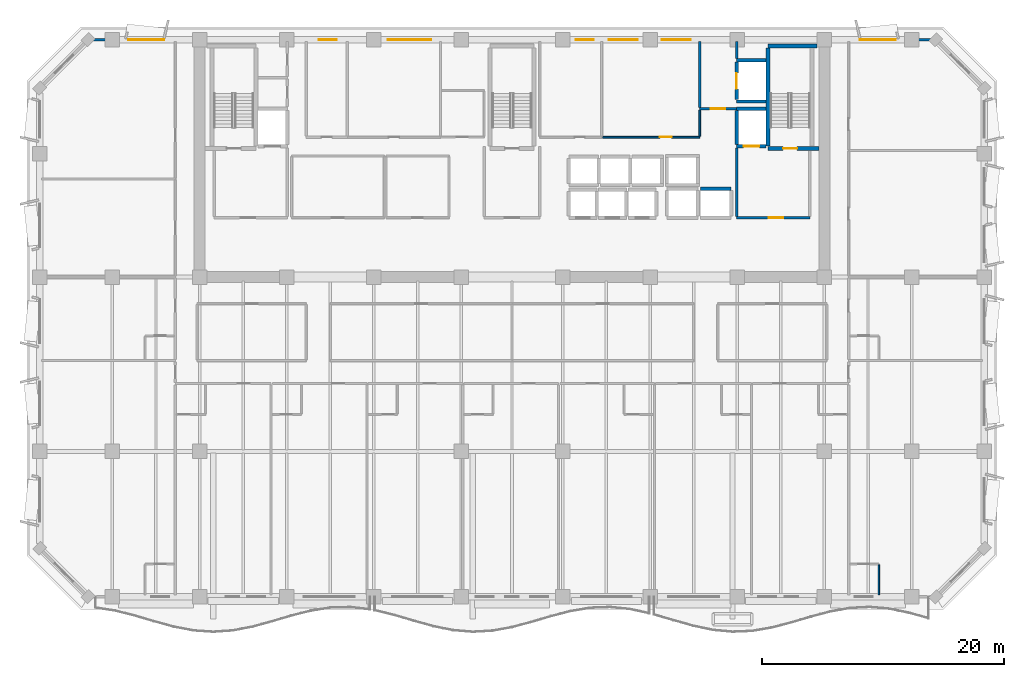
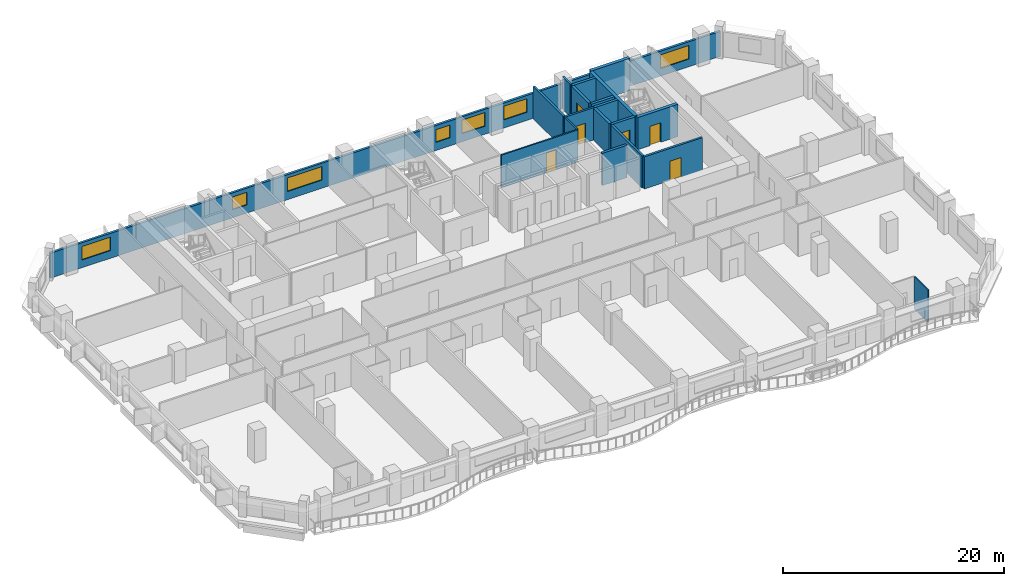
# One storey, part 8 of 15: 19 walls, 7 windows, 6 doors, 13 openings.
"""IFC4 building model written with IfcOpenShell, lengths in metres."""

from ifc_helpers import new_model, si_unit, direction, frame, frame_2d, origin, place, context, subcontext, project, spatial, rectangle, extrude, material, layer, layer_set, type_object, element, fill, save


model = new_model("IFC4")

# Units and contexts
model_context = context("Model", 3, precision=1e-05, world=origin(), true_north=direction((0.0, 1.0)))
body_context = subcontext(model_context, "Body", "Model", "MODEL_VIEW")
ifc_project = project(units=[si_unit("LENGTHUNIT", "METRE"), si_unit("AREAUNIT", "SQUARE_METRE"), si_unit("VOLUMEUNIT", "CUBIC_METRE"), si_unit("PLANEANGLEUNIT", "RADIAN"), si_unit("MASSUNIT", "GRAM", prefix="KILO")], contexts=[model_context])

# Site, building, storey
site_placement = place(None, origin())
site = spatial("IfcSite", under=ifc_project, at=site_placement, CompositionType="ELEMENT")
building_placement = place(site_placement, origin())
building = spatial("IfcBuilding", under=site, at=building_placement, Name="Kaelvorn Grand Hotel", CompositionType="ELEMENT")
storey_placement = place(building_placement, frame((0.0, 0.0, 173.35009765625)))
storey = spatial("IfcBuildingStorey", under=building, at=storey_placement, Name="L42", CompositionType="ELEMENT", Elevation=173.35009765625)

# Wall, openings, windows
ifc_material_1 = material(Name="Concrete C40/50", Category="concrete")
ifc_layer_1 = layer(ifc_material_1, 0.239990234375)
ifc_layer_set_1 = layer_set([ifc_layer_1], Name="Concrete C40/50")
wall_type_1 = type_object("IfcWallType", Name="WL-EXT-240-C40", PredefinedType="SOLIDWALL", material=ifc_layer_set_1)
wall_1_placement = place(storey_placement, frame((77.0, 49.0, 0.0), z_axis=(0.0, 0.0, 1.0), x_axis=(-1.0, 0.0, 0.0)))
wall_1 = element("IfcWall", 1, at=wall_1_placement, inside=storey, type_object=wall_type_1, Name="L42 Exterior Architectural Concrete Wall 05", PredefinedType="SOLIDWALL", context=body_context, shape_type="SweptSolid", body=[
    extrude(rectangle(XDim=70.0, YDim=0.239990234375, at=frame_2d((35.0, 0.0))), origin(), (0.0, 0.0, 1.0), 2.760009765625),
])
opening_1_placement = place(wall_1_placement, frame((63.699951171875, 0.0, 0.85009765625)))
opening_1 = element("IfcOpeningElement", 2, at=opening_1_placement, cuts=wall_1, Name="Opening W5", PredefinedType="OPENING", context=body_context, shape_type="SweptSolid", body=[
    extrude(rectangle(XDim=3.0, YDim=1.5, at=frame_2d((1.5, 0.75))), frame((0.0, 0.1298828125, 0.0), z_axis=(0.0, -1.0, 0.0), x_axis=(1.0, 0.0, 0.0)), (0.0, 0.0, 1.0), 0.260009765625),
])
opening_2_placement = place(wall_1_placement, frame((3.300048828125, 0.0, 0.85009765625)))
opening_2 = element("IfcOpeningElement", 3, at=opening_2_placement, cuts=wall_1, Name="Opening W5", PredefinedType="OPENING", context=body_context, shape_type="SweptSolid", body=[
    extrude(rectangle(XDim=3.0, YDim=1.5, at=frame_2d((1.5, 0.75))), frame((0.0, 0.1298828125, 0.0), z_axis=(0.0, -1.0, 0.0), x_axis=(1.0, 0.0, 0.0)), (0.0, 0.0, 1.0), 0.260009765625),
])
opening_3_placement = place(wall_1_placement, frame((49.465087890625, 0.0, 0.89990234375)))
opening_3 = element("IfcOpeningElement", 4, at=opening_3_placement, cuts=wall_1, Name="Opening W10", PredefinedType="OPENING", context=body_context, shape_type="SweptSolid", body=[
    extrude(rectangle(XDim=1.5, YDim=1.39990234375, at=frame_2d((0.75, 0.699951171875))), frame((0.0, 0.1298828125, 0.0), z_axis=(0.0, -1.0, 0.0), x_axis=(1.0, 0.0, 0.0)), (0.0, 0.0, 1.0), 0.260009765625),
])
opening_4_placement = place(wall_1_placement, frame((41.64990234375, 0.0, 0.89990234375)))
opening_4 = element("IfcOpeningElement", 5, at=opening_4_placement, cuts=wall_1, Name="Opening W3", PredefinedType="OPENING", context=body_context, shape_type="SweptSolid", body=[
    extrude(rectangle(XDim=3.60009765625, YDim=1.5, at=frame_2d((1.800048828125, 0.75))), frame((0.0, 0.1298828125, 0.0), z_axis=(0.0, -1.0, 0.0), x_axis=(1.0, 0.0, 0.0)), (0.0, 0.0, 1.0), 0.260009765625),
])
opening_5_placement = place(wall_1_placement, frame((28.25, 0.0, 0.89990234375)))
opening_5 = element("IfcOpeningElement", 6, at=opening_5_placement, cuts=wall_1, Name="Opening W10", PredefinedType="OPENING", context=body_context, shape_type="SweptSolid", body=[
    extrude(rectangle(XDim=1.5, YDim=1.39990234375, at=frame_2d((0.75, 0.699951171875))), frame((0.0, 0.1298828125, 0.0), z_axis=(0.0, -1.0, 0.0), x_axis=(1.0, 0.0, 0.0)), (0.0, 0.0, 1.0), 0.260009765625),
])
opening_6_placement = place(wall_1_placement, frame((24.60009765625, 0.0, 0.89990234375)))
opening_6 = element("IfcOpeningElement", 7, at=opening_6_placement, cuts=wall_1, Name="Opening W6", PredefinedType="OPENING", context=body_context, shape_type="SweptSolid", body=[
    extrude(rectangle(XDim=2.39990234375, YDim=1.5, at=frame_2d((1.199951171875, 0.75))), frame((0.0, 0.1298828125, 0.0), z_axis=(0.0, -1.0, 0.0), x_axis=(1.0, 0.0, 0.0)), (0.0, 0.0, 1.0), 0.260009765625),
])
opening_7_placement = place(wall_1_placement, frame((20.235107421875, 0.0, 0.89990234375)))
opening_7 = element("IfcOpeningElement", 8, at=opening_7_placement, cuts=wall_1, Name="Opening W6", PredefinedType="OPENING", context=body_context, shape_type="SweptSolid", body=[
    extrude(rectangle(XDim=2.39990234375, YDim=1.5, at=frame_2d((1.199951171875, 0.75))), frame((0.0, 0.1298828125, 0.0), z_axis=(0.0, -1.0, 0.0), x_axis=(1.0, 0.0, 0.0)), (0.0, 0.0, 1.0), 0.260009765625),
])
ifc_material_2 = material(Name="Laminated Low-E Glass", Category="glass")
window_type_1 = type_object("IfcWindowType", Name="WIN-COR-1500x1400", PartitioningType="SINGLE_PANEL", PredefinedType="WINDOW", material=ifc_material_2)
window_1_placement = place(opening_3_placement, origin())
window_1 = element("IfcWindow", 9, at=window_1_placement, inside=storey, type_object=window_type_1, Name="L42 North Core Clerestory Ribbon Window NC03", OverallHeight=1.39990234375, OverallWidth=1.5, PartitioningType="SINGLE_PANEL", PredefinedType="WINDOW", context=body_context, shape_type="SweptSolid", body=[
    extrude(rectangle(XDim=1.5, YDim=1.39990234375, at=frame_2d((0.75, 0.699951171875))), frame((0.0, 0.030029296875, 0.0), z_axis=(0.0, -1.0, 0.0), x_axis=(1.0, 0.0, 0.0)), (0.0, 0.0, 1.0), 0.06005859375),
])
fill(opening_3, window_1)
window_2_placement = place(opening_5_placement, origin())
window_2 = element("IfcWindow", 10, at=window_2_placement, inside=storey, type_object=window_type_1, Name="L42 North Core Clerestory Ribbon Window NC05", OverallHeight=1.39990234375, OverallWidth=1.5, PartitioningType="SINGLE_PANEL", PredefinedType="WINDOW", context=body_context, shape_type="SweptSolid", body=[
    extrude(rectangle(XDim=1.5, YDim=1.39990234375, at=frame_2d((0.75, 0.699951171875))), frame((0.0, 0.030029296875, 0.0), z_axis=(0.0, -1.0, 0.0), x_axis=(1.0, 0.0, 0.0)), (0.0, 0.0, 1.0), 0.06005859375),
])
fill(opening_5, window_2)
window_type_2 = type_object("IfcWindowType", Name="WIN-NTH-2400x1500", PartitioningType="SINGLE_PANEL", PredefinedType="WINDOW", material=ifc_material_2)
window_3_placement = place(opening_6_placement, origin())
window_3 = element("IfcWindow", 11, at=window_3_placement, inside=storey, type_object=window_type_2, Name="L42 North Core Clerestory Ribbon Window NC06", OverallHeight=1.5, OverallWidth=2.39990234375, PartitioningType="SINGLE_PANEL", PredefinedType="WINDOW", context=body_context, shape_type="SweptSolid", body=[
    extrude(rectangle(XDim=2.39990234375, YDim=1.5, at=frame_2d((1.199951171875, 0.75))), frame((0.0, 0.030029296875, 0.0), z_axis=(0.0, -1.0, 0.0), x_axis=(1.0, 0.0, 0.0)), (0.0, 0.0, 1.0), 0.06005859375),
])
fill(opening_6, window_3)
window_4_placement = place(opening_7_placement, origin())
window_4 = element("IfcWindow", 12, at=window_4_placement, inside=storey, type_object=window_type_2, Name="L42 North Core Clerestory Ribbon Window NC07", OverallHeight=1.5, OverallWidth=2.39990234375, PartitioningType="SINGLE_PANEL", PredefinedType="WINDOW", context=body_context, shape_type="SweptSolid", body=[
    extrude(rectangle(XDim=2.39990234375, YDim=1.5, at=frame_2d((1.199951171875, 0.75))), frame((0.0, 0.030029296875, 0.0), z_axis=(0.0, -1.0, 0.0), x_axis=(1.0, 0.0, 0.0)), (0.0, 0.0, 1.0), 0.06005859375),
])
fill(opening_7, window_4)
window_type_3 = type_object("IfcWindowType", Name="WIN-NTH-3000x1500", PartitioningType="SINGLE_PANEL", PredefinedType="WINDOW", material=ifc_material_2)
window_5_placement = place(opening_1_placement, origin())
window_5 = element("IfcWindow", 13, at=window_5_placement, inside=storey, type_object=window_type_3, Name="L42 North Wing Ribbon Window NW01", OverallHeight=1.5, OverallWidth=3.0, PartitioningType="SINGLE_PANEL", PredefinedType="WINDOW", context=body_context, shape_type="SweptSolid", body=[
    extrude(rectangle(XDim=3.0, YDim=1.5, at=frame_2d((1.5, 0.75))), frame((0.0, 0.030029296875, 0.0), z_axis=(0.0, -1.0, 0.0), x_axis=(1.0, 0.0, 0.0)), (0.0, 0.0, 1.0), 0.06005859375),
])
fill(opening_1, window_5)
window_6_placement = place(opening_2_placement, origin())
window_6 = element("IfcWindow", 14, at=window_6_placement, inside=storey, type_object=window_type_3, Name="L42 North Wing Ribbon Window NW02", OverallHeight=1.5, OverallWidth=3.0, PartitioningType="SINGLE_PANEL", PredefinedType="WINDOW", context=body_context, shape_type="SweptSolid", body=[
    extrude(rectangle(XDim=3.0, YDim=1.5, at=frame_2d((1.5, 0.75))), frame((0.0, 0.030029296875, 0.0), z_axis=(0.0, -1.0, 0.0), x_axis=(1.0, 0.0, 0.0)), (0.0, 0.0, 1.0), 0.06005859375),
])
fill(opening_2, window_6)
window_type_4 = type_object("IfcWindowType", Name="WIN-RIB-3600x1750", PartitioningType="SINGLE_PANEL", PredefinedType="WINDOW", material=ifc_material_2)
window_7_placement = place(opening_4_placement, origin())
window_7 = element("IfcWindow", 15, at=window_7_placement, inside=storey, type_object=window_type_4, Name="L42 North Core Clerestory Ribbon Window NC04", OverallHeight=1.5, OverallWidth=3.60009765625, PartitioningType="SINGLE_PANEL", PredefinedType="WINDOW", context=body_context, shape_type="SweptSolid", body=[
    extrude(rectangle(XDim=3.60009765625, YDim=1.5, at=frame_2d((1.800048828125, 0.75))), frame((0.0, 0.030029296875, 0.0), z_axis=(0.0, -1.0, 0.0), x_axis=(1.0, 0.0, 0.0)), (0.0, 0.0, 1.0), 0.06005859375),
])
fill(opening_4, window_7)

# Wall
ifc_material_3 = material(Name="Moisture-Resistant Tile & Stud Board")
ifc_layer_2 = layer(ifc_material_3, 0.125)
ifc_layer_set_2 = layer_set([ifc_layer_2], Name="Moisture-Resistant Tile & Stud Board")
wall_type_2 = type_object("IfcWallType", Name="WL-PART-125-WET", PredefinedType="PARTITIONING", material=ifc_layer_set_2)
wall_2_placement = place(storey_placement, frame((72.300048828125, 3.14990234375, 0.0), z_axis=(0.0, 0.0, 1.0), x_axis=(0.0, 1.0, 0.0)))
element("IfcWall", 16, at=wall_2_placement, inside=storey, type_object=wall_type_2, Name="L42 En-suite Bathroom L42-10 E Partition", PredefinedType="PARTITIONING", context=body_context, shape_type="SweptSolid", body=[
    extrude(rectangle(XDim=2.482666015625, YDim=0.125, at=frame_2d((1.2412109375, 0.0))), origin(), (0.0, 0.0, 1.0), 3.559814453125),
])

# Wall, opening, door
ifc_material_4 = material(Name="Acoustic Gypsum & Stud Partition")
ifc_layer_3 = layer(ifc_material_4, 0.14990234375)
ifc_layer_set_3 = layer_set([ifc_layer_3], Name="Acoustic Gypsum & Stud Partition")
wall_type_3 = type_object("IfcWallType", Name="WL-PART-150-EI60", PredefinedType="PARTITIONING", material=ifc_layer_set_3)
wall_3_placement = place(storey_placement, frame((49.47998046875, 40.949951171875, 0.0), z_axis=(0.0, 0.0, 1.0), x_axis=(1.0, 0.0, 0.0)))
wall_3 = element("IfcWall", 17, at=wall_3_placement, inside=storey, type_object=wall_type_3, Name="L42 Butler Servery Pantry S Partition", PredefinedType="PARTITIONING", context=body_context, shape_type="SweptSolid", body=[
    extrude(rectangle(XDim=8.02001953125, YDim=0.14990234375, at=frame_2d((4.010009765625, 0.0))), origin(), (0.0, 0.0, 1.0), 3.559814453125),
])
opening_8_placement = place(wall_3_placement, frame((4.719970703125, 0.0, 0.0)))
opening_8 = element("IfcOpeningElement", 18, at=opening_8_placement, cuts=wall_3, Name="Opening DI3", PredefinedType="OPENING", context=body_context, shape_type="SweptSolid", body=[
    extrude(rectangle(XDim=1.0, YDim=2.14990234375, at=frame_2d((0.5, 1.074951171875))), frame((0.0, 0.0849609375, 0.0), z_axis=(0.0, -1.0, 0.0), x_axis=(1.0, 0.0, 0.0)), (0.0, 0.0, 1.0), 0.169921875),
])
ifc_material_5 = material(Name="Timber Veneer Fire Leaf", Category="wood")
door_type_1 = type_object("IfcDoorType", Name="DR-INT-GUEST-1000x2150", OperationType="NOTDEFINED", PredefinedType="DOOR", material=ifc_material_5)
door_1_placement = place(opening_8_placement, origin())
door_1 = element("IfcDoor", 19, at=door_1_placement, inside=storey, type_object=door_type_1, Name="L42 Butler Servery Pantry Door", OperationType="SINGLE_SWING_RIGHT", OverallHeight=2.14990234375, OverallWidth=1.0, PredefinedType="DOOR", context=body_context, shape_type="SweptSolid", body=[
    extrude(rectangle(XDim=1.0, YDim=2.14990234375, at=frame_2d((0.5, 1.074951171875))), frame((0.0, 0.02490234375, 0.0), z_axis=(0.0, -1.0, 0.0), x_axis=(1.0, 0.0, 0.0)), (0.0, 0.0, 1.0), 0.050048828125),
])
fill(opening_8, door_1)

# Wall
wall_4_placement = place(storey_placement, frame((57.5, 41.030029296875, 0.0), z_axis=(0.0, 0.0, 1.0), x_axis=(0.0, 1.0, 0.0)))
element("IfcWall", 20, at=wall_4_placement, inside=storey, type_object=wall_type_3, Name="L42 Butler Servery Pantry E Partition", PredefinedType="PARTITIONING", context=body_context, shape_type="SweptSolid", body=[
    extrude(rectangle(XDim=2.155029296875, YDim=0.14990234375, at=frame_2d((1.07763671875, 0.0))), origin(), (0.0, 0.0, 1.0), 3.559814453125),
])

# Wall, opening, door
ifc_layer_4 = layer(ifc_material_1, 0.219970703125)
ifc_layer_set_4 = layer_set([ifc_layer_4], Name="Concrete C40/50")
wall_type_4 = type_object("IfcWallType", Name="WL-PART-220-EI120", PredefinedType="PARTITIONING", material=ifc_layer_set_4)
wall_5_placement = place(storey_placement, frame((60.550048828125, 34.300048828125, 0.0), z_axis=(0.0, 0.0, 1.0), x_axis=(1.0, 0.0, 0.0)))
wall_5 = element("IfcWall", 21, at=wall_5_placement, inside=storey, type_object=wall_type_4, Name="L42 Firefighting Lift Lobby 2 S Partition", PredefinedType="PARTITIONING", context=body_context, shape_type="SweptSolid", body=[
    extrude(rectangle(XDim=6.050048828125, YDim=0.219970703125, at=frame_2d((3.02490234375, 0.0))), origin(), (0.0, 0.0, 1.0), 3.559814453125),
])
opening_9_placement = place(wall_5_placement, frame((2.64990234375, 0.0, 0.0)))
opening_9 = element("IfcOpeningElement", 22, at=opening_9_placement, cuts=wall_5, Name="Opening DI2", PredefinedType="OPENING", context=body_context, shape_type="SweptSolid", body=[
    extrude(rectangle(XDim=1.199951171875, YDim=2.14990234375, at=frame_2d((0.60009765625, 1.074951171875))), frame((0.0, 0.1201171875, 0.0), z_axis=(0.0, -1.0, 0.0), x_axis=(1.0, 0.0, 0.0)), (0.0, 0.0, 1.0), 0.239990234375),
])
door_type_2 = type_object("IfcDoorType", Name="DR-INT-FFLOB-1200x2150", OperationType="NOTDEFINED", PredefinedType="DOOR", material=ifc_material_5)
door_2_placement = place(opening_9_placement, origin())
door_2 = element("IfcDoor", 23, at=door_2_placement, inside=storey, type_object=door_type_2, Name="L42 Firefighting Lift Lobby 2 Door", OperationType="SINGLE_SWING_LEFT", OverallHeight=2.14990234375, OverallWidth=1.199951171875, PredefinedType="DOOR", context=body_context, shape_type="SweptSolid", body=[
    extrude(rectangle(XDim=1.199951171875, YDim=2.14990234375, at=frame_2d((0.60009765625, 1.074951171875))), frame((0.0, 0.02490234375, 0.0), z_axis=(0.0, -1.0, 0.0), x_axis=(1.0, 0.0, 0.0)), (0.0, 0.0, 1.0), 0.050048828125),
])
fill(opening_9, door_2)

# Wall
wall_6_placement = place(storey_placement, frame((60.550048828125, 34.4150390625, 0.0), z_axis=(0.0, 0.0, 1.0), x_axis=(0.0, 1.0, 0.0)))
element("IfcWall", 24, at=wall_6_placement, inside=storey, type_object=wall_type_4, Name="L42 Firefighting Lift Lobby 2 W Partition", PredefinedType="PARTITIONING", context=body_context, shape_type="SweptSolid", body=[
    extrude(rectangle(XDim=5.639892578125, YDim=0.219970703125, at=frame_2d((2.81982421875, 0.0))), origin(), (0.0, 0.0, 1.0), 3.559814453125),
])

# Wall, opening, door
wall_7_placement = place(storey_placement, frame((57.5, 43.300048828125, 0.0), z_axis=(0.0, 0.0, 1.0), x_axis=(1.0, 0.0, 0.0)))
wall_7 = element("IfcWall", 25, at=wall_7_placement, inside=storey, type_object=wall_type_4, Name="L42 Service Lift Lobby S Partition", PredefinedType="PARTITIONING", context=body_context, shape_type="SweptSolid", body=[
    extrude(rectangle(XDim=3.0400390625, YDim=0.219970703125, at=frame_2d((1.52001953125, 0.0))), origin(), (0.0, 0.0, 1.0), 3.559814453125),
])
opening_10_placement = place(wall_7_placement, frame((0.89990234375, 0.0, 0.0)))
opening_10 = element("IfcOpeningElement", 26, at=opening_10_placement, cuts=wall_7, Name="Opening DI2", PredefinedType="OPENING", context=body_context, shape_type="SweptSolid", body=[
    extrude(rectangle(XDim=1.199951171875, YDim=2.14990234375, at=frame_2d((0.60009765625, 1.074951171875))), frame((0.0, 0.1201171875, 0.0), z_axis=(0.0, -1.0, 0.0), x_axis=(1.0, 0.0, 0.0)), (0.0, 0.0, 1.0), 0.239990234375),
])
door_3_placement = place(opening_10_placement, origin())
door_3 = element("IfcDoor", 27, at=door_3_placement, inside=storey, type_object=door_type_2, Name="L42 Service Lift Lobby Door", OperationType="SINGLE_SWING_LEFT", OverallHeight=2.14990234375, OverallWidth=1.199951171875, PredefinedType="DOOR", context=body_context, shape_type="SweptSolid", body=[
    extrude(rectangle(XDim=1.199951171875, YDim=2.14990234375, at=frame_2d((0.60009765625, 1.074951171875))), frame((0.0, 0.02490234375, 0.0), z_axis=(0.0, -1.0, 0.0), x_axis=(1.0, 0.0, 0.0)), (0.0, 0.0, 1.0), 0.050048828125),
])
fill(opening_10, door_3)

# Walls
wall_8_placement = place(storey_placement, frame((57.5, 43.4150390625, 0.0), z_axis=(0.0, 0.0, 1.0), x_axis=(0.0, 1.0, 0.0)))
element("IfcWall", 28, at=wall_8_placement, inside=storey, type_object=wall_type_4, Name="L42 Service Lift Lobby W Partition", PredefinedType="PARTITIONING", context=body_context, shape_type="SweptSolid", body=[
    extrude(rectangle(XDim=5.43505859375, YDim=0.219970703125, at=frame_2d((2.717529296875, 0.0))), origin(), (0.0, 0.0, 1.0), 3.559814453125),
])
wall_9_placement = place(storey_placement, frame((60.550048828125, 47.445068359375, 0.0), z_axis=(0.0, 0.0, 1.0), x_axis=(0.0, 1.0, 0.0)))
element("IfcWall", 29, at=wall_9_placement, inside=storey, type_object=wall_type_4, Name="L42 Service Lift Lobby E Partition", PredefinedType="PARTITIONING", context=body_context, shape_type="SweptSolid", body=[
    extrude(rectangle(XDim=1.405029296875, YDim=0.219970703125, at=frame_2d((0.70263671875, 0.0))), origin(), (0.0, 0.0, 1.0), 3.559814453125),
])
ifc_material_6 = material(Name="Concrete C50/60", Category="concrete")
ifc_layer_5 = layer(ifc_material_6, 0.280029296875)
ifc_layer_set_5 = layer_set([ifc_layer_5], Name="Concrete C50/60")
wall_type_5 = type_object("IfcWallType", Name="WL-SHAFT-280-C50", PredefinedType="SHEAR", material=ifc_layer_set_5)
wall_10_placement = place(storey_placement, frame((57.550048828125, 36.699951171875, 0.0), z_axis=(0.0, 0.0, 1.0), x_axis=(1.0, 0.0, 0.0)))
element("IfcWall", 30, at=wall_10_placement, inside=storey, type_object=wall_type_5, Name="L42 Lift OL-2 Shaft North Wall", PredefinedType="SHEAR", context=body_context, shape_type="SweptSolid", body=[
    extrude(rectangle(XDim=2.550048828125, YDim=0.280029296875, at=frame_2d((1.27490234375, 0.0))), origin(), (0.0, 0.0, 1.0), 3.559814453125),
])

# Wall, opening, door
wall_11_placement = place(storey_placement, frame((60.550048828125, 40.199951171875, 0.0), z_axis=(0.0, 0.0, 1.0), x_axis=(1.0, 0.0, 0.0)))
wall_11 = element("IfcWall", 31, at=wall_11_placement, inside=storey, type_object=wall_type_5, Name="L42 Lift FFL2 Shaft South Wall", PredefinedType="SHEAR", context=body_context, shape_type="SweptSolid", body=[
    extrude(rectangle(XDim=2.4150390625, YDim=0.280029296875, at=frame_2d((1.20751953125, 0.0))), origin(), (0.0, 0.0, 1.0), 3.559814453125),
])
opening_11_placement = place(wall_11_placement, frame((0.574951171875, 0.0, 0.0)))
opening_11 = element("IfcOpeningElement", 32, at=opening_11_placement, cuts=wall_11, Name="Opening LD-FFL2", PredefinedType="OPENING", context=body_context, shape_type="SweptSolid", body=[
    extrude(rectangle(XDim=1.300048828125, YDim=2.300048828125, at=frame_2d((0.64990234375, 1.14990234375))), frame((0.0, 0.14990234375, 0.0), z_axis=(0.0, -1.0, 0.0), x_axis=(1.0, 0.0, 0.0)), (0.0, 0.0, 1.0), 0.300048828125),
])
ifc_material_7 = material(Name="Stainless Steel", Category="steel")
door_type_3 = type_object("IfcDoorType", Name="DR-LIFT-SERV-1300x2300", OperationType="DOUBLE_DOOR_SLIDING", PredefinedType="DOOR", material=ifc_material_7)
door_4_placement = place(opening_11_placement, origin())
door_4 = element("IfcDoor", 33, at=door_4_placement, inside=storey, type_object=door_type_3, Name="L42 Lift FFL2 Sliding Landing Door LD-FFL2", OperationType="DOUBLE_DOOR_SLIDING", OverallHeight=2.300048828125, OverallWidth=1.300048828125, PredefinedType="DOOR", context=body_context, shape_type="SweptSolid", body=[
    extrude(rectangle(XDim=1.300048828125, YDim=2.300048828125, at=frame_2d((0.64990234375, 1.14990234375))), frame((0.0, 0.02490234375, 0.0), z_axis=(0.0, -1.0, 0.0), x_axis=(1.0, 0.0, 0.0)), (0.0, 0.0, 1.0), 0.050048828125),
])
fill(opening_11, door_4)

# Walls
wall_12_placement = place(storey_placement, frame((60.550048828125, 43.300048828125, 0.0), z_axis=(0.0, 0.0, 1.0), x_axis=(1.0, 0.0, 0.0)))
element("IfcWall", 34, at=wall_12_placement, inside=storey, type_object=wall_type_5, Name="L42 Lift FFL2 Shaft North Wall", PredefinedType="SHEAR", context=body_context, shape_type="SweptSolid", body=[
    extrude(rectangle(XDim=2.4150390625, YDim=0.280029296875, at=frame_2d((1.20751953125, 0.0))), origin(), (0.0, 0.0, 1.0), 3.559814453125),
])
wall_13_placement = place(storey_placement, frame((60.550048828125, 40.344970703125, 0.0), z_axis=(0.0, 0.0, 1.0), x_axis=(0.0, 1.0, 0.0)))
element("IfcWall", 35, at=wall_13_placement, inside=storey, type_object=wall_type_5, Name="L42 Lift FFL2 Shaft West Wall", PredefinedType="SHEAR", context=body_context, shape_type="SweptSolid", body=[
    extrude(rectangle(XDim=2.81005859375, YDim=0.280029296875, at=frame_2d((1.405029296875, 0.0))), origin(), (0.0, 0.0, 1.0), 3.559814453125),
])
for number, where, z_axis, x_axis, name in (
    (36, (60.550048828125, 43.89990234375, 0.0), (0.0, 0.0, 1.0), (1.0, 0.0, 0.0), "L42 Lift SV1 Shaft South Wall"),
    (37, (60.550048828125, 47.300048828125, 0.0), (0.0, 0.0, 1.0), (1.0, 0.0, 0.0), "L42 Lift SV1 Shaft North Wall"),
):
    element("IfcWall", number, at=place(storey_placement, frame(where, z_axis=z_axis, x_axis=x_axis)), inside=storey, type_object=wall_type_5, Name=name, PredefinedType="SHEAR", context=body_context, shape_type="SweptSolid", body=[
        extrude(rectangle(XDim=2.4150390625, YDim=0.280029296875, at=frame_2d((1.20751953125, 0.0))), origin(), (0.0, 0.0, 1.0), 3.559814453125),
    ])

# Wall, opening, door
wall_14_placement = place(storey_placement, frame((60.550048828125, 44.044921875, 0.0), z_axis=(0.0, 0.0, 1.0), x_axis=(0.0, 1.0, 0.0)))
wall_14 = element("IfcWall", 38, at=wall_14_placement, inside=storey, type_object=wall_type_5, Name="L42 Lift SV1 Shaft West Wall", PredefinedType="SHEAR", context=body_context, shape_type="SweptSolid", body=[
    extrude(rectangle(XDim=3.110107421875, YDim=0.280029296875, at=frame_2d((1.55517578125, 0.0))), origin(), (0.0, 0.0, 1.0), 3.559814453125),
])
opening_12_placement = place(wall_14_placement, frame((0.905029296875, 0.0, 0.0)))
opening_12 = element("IfcOpeningElement", 39, at=opening_12_placement, cuts=wall_14, Name="Opening LD-SV1", PredefinedType="OPENING", context=body_context, shape_type="SweptSolid", body=[
    extrude(rectangle(XDim=1.300048828125, YDim=2.300048828125, at=frame_2d((0.64990234375, 1.14990234375))), frame((0.0, 0.14990234375, 0.0), z_axis=(0.0, -1.0, 0.0), x_axis=(1.0, 0.0, 0.0)), (0.0, 0.0, 1.0), 0.300048828125),
])
door_5_placement = place(opening_12_placement, origin())
door_5 = element("IfcDoor", 40, at=door_5_placement, inside=storey, type_object=door_type_3, Name="L42 Lift SV1 Sliding Landing Door LD-SV1", OperationType="DOUBLE_DOOR_SLIDING", OverallHeight=2.300048828125, OverallWidth=1.300048828125, PredefinedType="DOOR", context=body_context, shape_type="SweptSolid", body=[
    extrude(rectangle(XDim=1.300048828125, YDim=2.300048828125, at=frame_2d((0.64990234375, 1.14990234375))), frame((0.0, 0.02490234375, 0.0), z_axis=(0.0, -1.0, 0.0), x_axis=(1.0, 0.0, 0.0)), (0.0, 0.0, 1.0), 0.050048828125),
])
fill(opening_12, door_5)

ifc_material_8 = material(Name="Concrete C60/75", Category="concrete")
ifc_layer_6 = layer(ifc_material_8, 0.35009765625)
ifc_layer_set_6 = layer_set([ifc_layer_6], Name="Concrete C60/75")
wall_type_6 = type_object("IfcWallType", Name="WL-SHAFT-350-C60", PredefinedType="SHEAR", material=ifc_layer_set_6)
wall_15_placement = place(storey_placement, frame((63.14501953125, 40.02490234375, 0.0), z_axis=(0.0, 0.0, 1.0), x_axis=(1.0, 0.0, 0.0)))
wall_15 = element("IfcWall", 41, at=wall_15_placement, inside=storey, type_object=wall_type_6, Name="L42 ST3 Stair Shaft South Wall", PredefinedType="SHEAR", context=body_context, shape_type="SweptSolid", body=[
    extrude(rectangle(XDim=4.199951171875, YDim=0.35009765625, at=frame_2d((2.10009765625, 0.0))), origin(), (0.0, 0.0, 1.0), 3.559814453125),
])
opening_13_placement = place(wall_15_placement, frame((1.239990234375, 0.0, 0.0)))
opening_13 = element("IfcOpeningElement", 42, at=opening_13_placement, cuts=wall_15, Name="Opening DI1", PredefinedType="OPENING", context=body_context, shape_type="SweptSolid", body=[
    extrude(rectangle(XDim=1.14990234375, YDim=2.14990234375, at=frame_2d((0.574951171875, 1.074951171875))), frame((0.0, 0.18505859375, 0.0), z_axis=(0.0, -1.0, 0.0), x_axis=(1.0, 0.0, 0.0)), (0.0, 0.0, 1.0), 0.3701171875),
])
door_type_4 = type_object("IfcDoorType", Name="DR-INT-STAIR-1150x2150", OperationType="NOTDEFINED", PredefinedType="DOOR", material=ifc_material_5)
door_6_placement = place(opening_13_placement, origin())
door_6 = element("IfcDoor", 43, at=door_6_placement, inside=storey, type_object=door_type_4, Name="L42 ST3 Exit Stair Fire Door", OperationType="SINGLE_SWING_LEFT", OverallHeight=2.14990234375, OverallWidth=1.14990234375, PredefinedType="DOOR", context=body_context, shape_type="SweptSolid", body=[
    extrude(rectangle(XDim=1.14990234375, YDim=2.14990234375, at=frame_2d((0.574951171875, 1.074951171875))), frame((0.0, 0.02490234375, 0.0), z_axis=(0.0, -1.0, 0.0), x_axis=(1.0, 0.0, 0.0)), (0.0, 0.0, 1.0), 0.050048828125),
])
fill(opening_13, door_6)

# Walls
wall_16_placement = place(storey_placement, frame((63.14501953125, 48.47509765625, 0.0), z_axis=(0.0, 0.0, 1.0), x_axis=(1.0, 0.0, 0.0)))
element("IfcWall", 44, at=wall_16_placement, inside=storey, type_object=wall_type_6, Name="L42 ST3 Stair Shaft North Wall", PredefinedType="SHEAR", context=body_context, shape_type="SweptSolid", body=[
    extrude(rectangle(XDim=4.050048828125, YDim=0.35009765625, at=frame_2d((2.02490234375, 0.0))), origin(), (0.0, 0.0, 1.0), 3.559814453125),
])
wall_17_placement = place(storey_placement, frame((63.14501953125, 40.205078125, 0.0), z_axis=(0.0, 0.0, 1.0), x_axis=(0.0, 1.0, 0.0)))
element("IfcWall", 45, at=wall_17_placement, inside=storey, type_object=wall_type_6, Name="L42 ST3 Stair Shaft West Wall", PredefinedType="SHEAR", context=body_context, shape_type="SweptSolid", body=[
    extrude(rectangle(XDim=8.08984375, YDim=0.35009765625, at=frame_2d((4.044921875, 0.0))), origin(), (0.0, 0.0, 1.0), 3.559814453125),
])

save(model, "model.ifc")
